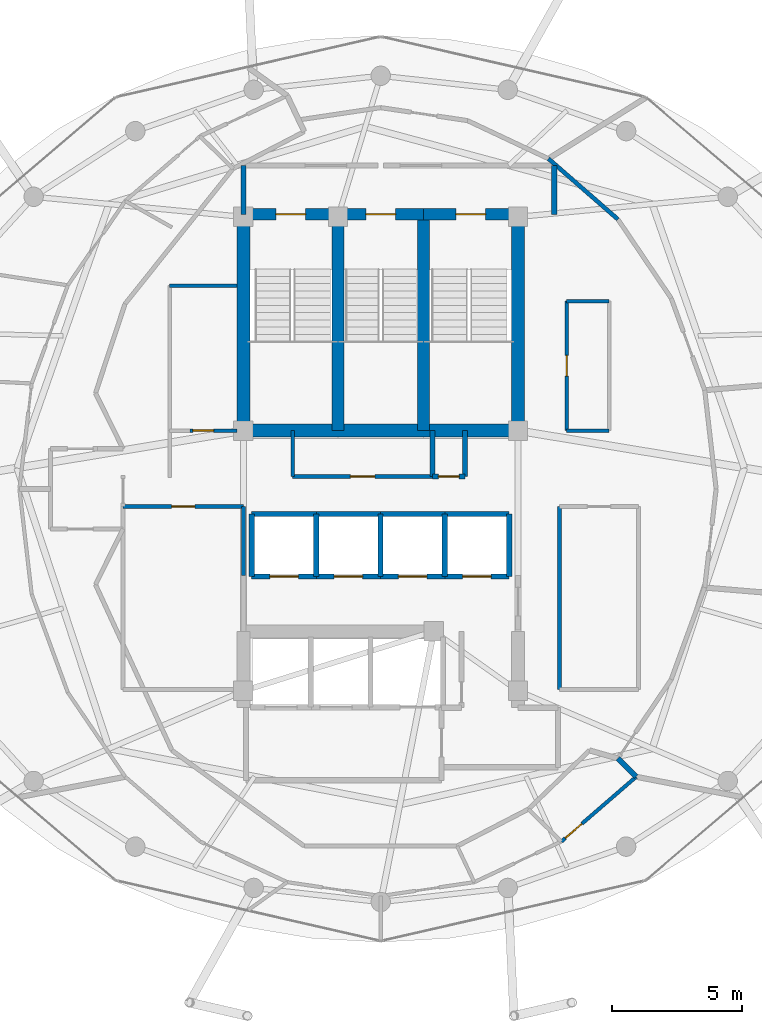
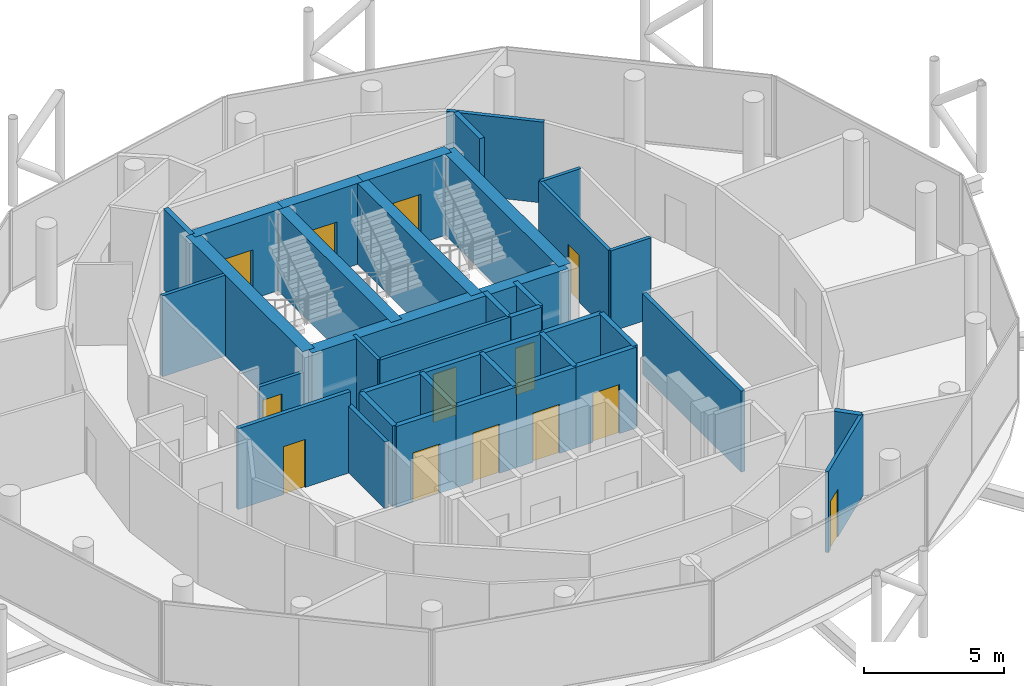
# One storey, part 21 of 24: 39 walls, 13 doors, 13 openings.
"""IFC4 building model written with IfcOpenShell, lengths in metres."""

from ifc_helpers import new_model, si_unit, direction, frame, frame_2d, origin, place, context, subcontext, project, spatial, rectangle, extrude, material, layer, layer_set, type_object, element, fill, save


model = new_model("IFC4")

# Units and contexts
model_context = context("Model", 3, precision=1e-05, world=origin(), true_north=direction((0.0, 1.0)))
body_context = subcontext(model_context, "Body", "Model", "MODEL_VIEW")
ifc_project = project(units=[si_unit("LENGTHUNIT", "METRE"), si_unit("AREAUNIT", "SQUARE_METRE"), si_unit("VOLUMEUNIT", "CUBIC_METRE"), si_unit("PLANEANGLEUNIT", "RADIAN"), si_unit("MASSUNIT", "GRAM", prefix="KILO")], contexts=[model_context])

# Site, building, storey
site_placement = place(None, origin())
site = spatial("IfcSite", under=ifc_project, at=site_placement, CompositionType="ELEMENT")
building_placement = place(site_placement, origin())
building = spatial("IfcBuilding", under=site, at=building_placement, Name="Nuhasar Tower", CompositionType="ELEMENT")
storey_placement = place(building_placement, frame((0.0, 0.0, 278.39990234375)))
storey = spatial("IfcBuildingStorey", under=building, at=storey_placement, Name="L69", CompositionType="ELEMENT", Elevation=278.39990234375)

# Wall, opening, door
ifc_material_1 = material(Name="Concrete C50/60", Category="concrete")
ifc_layer_1 = layer(ifc_material_1, 0.449951171875)
ifc_layer_set_1 = layer_set([ifc_layer_1], Name="Concrete C50/60")
wall_type_1 = type_object("IfcWallType", Name="WL-CORE-450", PredefinedType="SHEAR", material=ifc_layer_set_1)
wall_1_placement = place(storey_placement, frame((37.35009765625, 37.39990234375, 0.0), z_axis=(0.0, 0.0, 1.0), x_axis=(-1.0, 0.0, 0.0)))
wall_1 = element("IfcWall", 1, at=wall_1_placement, inside=storey, type_object=wall_type_1, Name="L69 Stairwell Shear Wall ST01-N", PredefinedType="SHEAR", context=body_context, shape_type="SweptSolid", body=[
    extrude(rectangle(XDim=3.650146484375, YDim=0.449951171875, at=frame_2d((1.8251953125, 0.0))), origin(), (0.0, 0.0, 1.0), 3.5400390625),
])
opening_1_placement = place(wall_1_placement, frame((1.25, 0.0, 0.0)))
opening_1 = element("IfcOpeningElement", 2, at=opening_1_placement, cuts=wall_1, Name="Opening DS-01", PredefinedType="OPENING", context=body_context, shape_type="SweptSolid", body=[
    extrude(rectangle(XDim=1.14990234375, YDim=2.14990234375, at=frame_2d((0.574951171875, 1.074951171875))), frame((0.0, 0.23486328125, 0.0), z_axis=(0.0, -1.0, 0.0), x_axis=(1.0, 0.0, 0.0)), (0.0, 0.0, 1.0), 0.469970703125),
])
ifc_material_2 = material(Name="Steel S355", Category="steel")
door_type_1 = type_object("IfcDoorType", Name="DR-STAIR-FD120-1150", OperationType="NOTDEFINED", PredefinedType="DOOR", material=ifc_material_2)
door_1_placement = place(opening_1_placement, origin())
door_1 = element("IfcDoor", 3, at=door_1_placement, inside=storey, type_object=door_type_1, Name="L69 Exit Stair ST-01 Door", OperationType="SINGLE_SWING_RIGHT", OverallHeight=2.14990234375, OverallWidth=1.14990234375, PredefinedType="DOOR", context=body_context, shape_type="SweptSolid", body=[
    extrude(rectangle(XDim=1.14990234375, YDim=2.14990234375, at=frame_2d((0.574951171875, 1.074951171875))), frame((0.0, 0.02490234375, 0.0), z_axis=(0.0, -1.0, 0.0), x_axis=(1.0, 0.0, 0.0)), (0.0, 0.0, 1.0), 0.050048828125),
])
fill(opening_1, door_1)

# Wall
wall_2_placement = place(storey_placement, frame((37.35009765625, 29.050048828125, 0.0), z_axis=(0.0, 0.0, 1.0), x_axis=(0.0, 1.0, 0.0)))
element("IfcWall", 4, at=wall_2_placement, inside=storey, type_object=wall_type_1, Name="L69 Stairwell Shear Wall ST01-E", PredefinedType="SHEAR", context=body_context, shape_type="SweptSolid", body=[
    extrude(rectangle(XDim=8.349853515625, YDim=0.449951171875, at=frame_2d((4.1748046875, 0.0))), origin(), (0.0, 0.0, 1.0), 3.5400390625),
])

# Wall, opening, door
wall_3_placement = place(storey_placement, frame((40.64990234375, 37.39990234375, 0.0), z_axis=(0.0, 0.0, 1.0), x_axis=(-1.0, 0.0, 0.0)))
wall_3 = element("IfcWall", 5, at=wall_3_placement, inside=storey, type_object=wall_type_1, Name="L69 Stairwell Shear Wall ST03-N", PredefinedType="SHEAR", context=body_context, shape_type="SweptSolid", body=[
    extrude(rectangle(XDim=3.2998046875, YDim=0.449951171875, at=frame_2d((1.64990234375, 0.0))), origin(), (0.0, 0.0, 1.0), 3.5400390625),
])
opening_2_placement = place(wall_3_placement, frame((1.074951171875, 0.0, 0.0)))
opening_2 = element("IfcOpeningElement", 6, at=opening_2_placement, cuts=wall_3, Name="Opening DS-01", PredefinedType="OPENING", context=body_context, shape_type="SweptSolid", body=[
    extrude(rectangle(XDim=1.14990234375, YDim=2.14990234375, at=frame_2d((0.574951171875, 1.074951171875))), frame((0.0, 0.23486328125, 0.0), z_axis=(0.0, -1.0, 0.0), x_axis=(1.0, 0.0, 0.0)), (0.0, 0.0, 1.0), 0.469970703125),
])
door_2_placement = place(opening_2_placement, origin())
door_2 = element("IfcDoor", 7, at=door_2_placement, inside=storey, type_object=door_type_1, Name="L69 Exit Stair ST-03 Door", OperationType="SINGLE_SWING_RIGHT", OverallHeight=2.14990234375, OverallWidth=1.14990234375, PredefinedType="DOOR", context=body_context, shape_type="SweptSolid", body=[
    extrude(rectangle(XDim=1.14990234375, YDim=2.14990234375, at=frame_2d((0.574951171875, 1.074951171875))), frame((0.0, 0.02490234375, 0.0), z_axis=(0.0, -1.0, 0.0), x_axis=(1.0, 0.0, 0.0)), (0.0, 0.0, 1.0), 0.050048828125),
])
fill(opening_2, door_2)

# Wall
wall_4_placement = place(storey_placement, frame((40.64990234375, 29.050048828125, 0.0), z_axis=(0.0, 0.0, 1.0), x_axis=(0.0, 1.0, 0.0)))
element("IfcWall", 8, at=wall_4_placement, inside=storey, type_object=wall_type_1, Name="L69 Stairwell Shear Wall ST03-E", PredefinedType="SHEAR", context=body_context, shape_type="SweptSolid", body=[
    extrude(rectangle(XDim=8.349853515625, YDim=0.449951171875, at=frame_2d((4.1748046875, 0.0))), origin(), (0.0, 0.0, 1.0), 3.5400390625),
])

# Wall, opening, door
wall_5_placement = place(storey_placement, frame((44.300048828125, 37.39990234375, 0.0), z_axis=(0.0, 0.0, 1.0), x_axis=(-1.0, 0.0, 0.0)))
wall_5 = element("IfcWall", 9, at=wall_5_placement, inside=storey, type_object=wall_type_1, Name="L69 Stairwell Shear Wall ST02-N", PredefinedType="SHEAR", context=body_context, shape_type="SweptSolid", body=[
    extrude(rectangle(XDim=3.650146484375, YDim=0.449951171875, at=frame_2d((1.8251953125, 0.0))), origin(), (0.0, 0.0, 1.0), 3.5400390625),
])
opening_3_placement = place(wall_5_placement, frame((1.25, 0.0, 0.0)))
opening_3 = element("IfcOpeningElement", 10, at=opening_3_placement, cuts=wall_5, Name="Opening DS-01", PredefinedType="OPENING", context=body_context, shape_type="SweptSolid", body=[
    extrude(rectangle(XDim=1.14990234375, YDim=2.14990234375, at=frame_2d((0.574951171875, 1.074951171875))), frame((0.0, 0.23486328125, 0.0), z_axis=(0.0, -1.0, 0.0), x_axis=(1.0, 0.0, 0.0)), (0.0, 0.0, 1.0), 0.469970703125),
])
door_3_placement = place(opening_3_placement, origin())
door_3 = element("IfcDoor", 11, at=door_3_placement, inside=storey, type_object=door_type_1, Name="L69 Exit Stair ST-02 Door", OperationType="SINGLE_SWING_LEFT", OverallHeight=2.14990234375, OverallWidth=1.14990234375, PredefinedType="DOOR", context=body_context, shape_type="SweptSolid", body=[
    extrude(rectangle(XDim=1.14990234375, YDim=2.14990234375, at=frame_2d((0.574951171875, 1.074951171875))), frame((0.0, 0.02490234375, 0.0), z_axis=(0.0, -1.0, 0.0), x_axis=(1.0, 0.0, 0.0)), (0.0, 0.0, 1.0), 0.050048828125),
])
fill(opening_3, door_3)

# Walls
ifc_layer_2 = layer(ifc_material_1, 0.5)
ifc_layer_set_2 = layer_set([ifc_layer_2], Name="Concrete C50/60")
wall_type_2 = type_object("IfcWallType", Name="WL-CORE-500", PredefinedType="SHEAR", material=ifc_layer_set_2)
for number, where, z_axis, x_axis, name in (
    (12, (33.699951171875, 29.050048828125, 0.0), (0.0, 0.0, 1.0), (0.0, 1.0, 0.0), "L69 Core Shear Wall CW-NW CW-500"),
    (13, (44.300048828125, 29.050048828125, 0.0), (0.0, 0.0, 1.0), (0.0, 1.0, 0.0), "L69 Core Shear Wall CW-NE CW-500"),
):
    element("IfcWall", number, at=place(storey_placement, frame(where, z_axis=z_axis, x_axis=x_axis)), inside=storey, type_object=wall_type_2, Name=name, PredefinedType="SHEAR", context=body_context, shape_type="SweptSolid", body=[
        extrude(rectangle(XDim=8.349853515625, YDim=0.5, at=frame_2d((4.1748046875, 0.0))), origin(), (0.0, 0.0, 1.0), 3.5400390625),
    ])
wall_6_placement = place(storey_placement, frame((33.699951171875, 29.050048828125, 0.0), z_axis=(0.0, 0.0, 1.0), x_axis=(1.0, 0.0, 0.0)))
element("IfcWall", 14, at=wall_6_placement, inside=storey, type_object=wall_type_2, Name="L69 Core Shear Wall CW-N1 CW-500", PredefinedType="SHEAR", context=body_context, shape_type="SweptSolid", body=[
    extrude(rectangle(XDim=10.60009765625, YDim=0.5, at=frame_2d((5.300048828125, 0.0))), origin(), (0.0, 0.0, 1.0), 3.5400390625),
])
ifc_material_3 = material(Name="Gypsum Board", Category="gypsum")
ifc_layer_3 = layer(ifc_material_3, 0.159912109375)
ifc_layer_set_3 = layer_set([ifc_layer_3], Name="Gypsum Board")
wall_type_3 = type_object("IfcWallType", Name="WL-CORR-160", PredefinedType="PARTITIONING", material=ifc_layer_set_3)
wall_7_placement = place(storey_placement, frame((33.699951171875, 23.449951171875, 0.0), z_axis=(0.0, 0.0, 1.0), x_axis=(0.0, 1.0, 0.0)))
element("IfcWall", 15, at=wall_7_placement, inside=storey, type_object=wall_type_3, Name="L69 Interior Partition RECL-B1-E", PredefinedType="PARTITIONING", context=body_context, shape_type="SweptSolid", body=[
    extrude(rectangle(XDim=2.670166015625, YDim=0.159912109375, at=frame_2d((1.3349609375, 0.0))), origin(), (0.0, 0.0, 1.0), 2.925048828125),
])

# Wall, opening, door
wall_8_placement = place(storey_placement, frame((33.699951171875, 26.1201171875, 0.0), z_axis=(0.0, 0.0, 1.0), x_axis=(-1.0, 0.0, 0.0)))
wall_8 = element("IfcWall", 16, at=wall_8_placement, inside=storey, type_object=wall_type_3, Name="L69 Interior Partition RECL-B1-N", PredefinedType="PARTITIONING", context=body_context, shape_type="SweptSolid", body=[
    extrude(rectangle(XDim=4.64990234375, YDim=0.159912109375, at=frame_2d((2.324951171875, 0.0))), origin(), (0.0, 0.0, 1.0), 3.5400390625),
])
opening_4_placement = place(wall_8_placement, frame((1.875, 0.0, 0.0)))
opening_4 = element("IfcOpeningElement", 17, at=opening_4_placement, cuts=wall_8, Name="Opening DR-01", PredefinedType="OPENING", context=body_context, shape_type="SweptSolid", body=[
    extrude(rectangle(XDim=0.89990234375, YDim=2.10009765625, at=frame_2d((0.449951171875, 1.050048828125))), frame((0.0, 0.08984375, 0.0), z_axis=(0.0, -1.0, 0.0), x_axis=(1.0, 0.0, 0.0)), (0.0, 0.0, 1.0), 0.179931640625),
])
ifc_material_4 = material(Name="Timber Oak", Category="wood")
door_type_2 = type_object("IfcDoorType", Name="DR-ROOM-900", OperationType="NOTDEFINED", PredefinedType="DOOR", material=ifc_material_4)
door_4_placement = place(opening_4_placement, origin())
door_4 = element("IfcDoor", 18, at=door_4_placement, inside=storey, type_object=door_type_2, Name="L69 Butler Store Door", OperationType="SINGLE_SWING_LEFT", OverallHeight=2.10009765625, OverallWidth=0.89990234375, PredefinedType="DOOR", context=body_context, shape_type="SweptSolid", body=[
    extrude(rectangle(XDim=0.89990234375, YDim=2.10009765625, at=frame_2d((0.449951171875, 1.050048828125))), frame((0.0, 0.02490234375, 0.0), z_axis=(0.0, -1.0, 0.0), x_axis=(1.0, 0.0, 0.0)), (0.0, 0.0, 1.0), 0.050048828125),
])
fill(opening_4, door_4)

# Walls
wall_9_placement = place(storey_placement, frame((45.89990234375, 19.050048828125, 0.0), z_axis=(0.0, 0.0, 1.0), x_axis=(0.0, 1.0, 0.0)))
element("IfcWall", 19, at=wall_9_placement, inside=storey, type_object=wall_type_3, Name="L69 Interior Partition RECL-B2-W", PredefinedType="PARTITIONING", context=body_context, shape_type="SweptSolid", body=[
    extrude(rectangle(XDim=7.070068359375, YDim=0.159912109375, at=frame_2d((3.53515625, 0.0))), origin(), (0.0, 0.0, 1.0), 3.5400390625),
])
wall_10_placement = place(storey_placement, frame((48.156982421875, 37.208984375, 0.0), z_axis=(0.0, 0.0, 1.0), x_axis=(-0.753625455067, 0.65730409513, 0.0)))
element("IfcWall", 20, at=wall_10_placement, inside=storey, type_object=wall_type_3, Name="L69 Interior Partition CORR-06", PredefinedType="PARTITIONING", context=body_context, shape_type="SweptSolid", body=[
    extrude(rectangle(XDim=3.55859375, YDim=0.159912109375, at=frame_2d((1.779296875, 0.0))), origin(), (0.0, 0.0, 1.0), 3.5400390625),
])
ifc_material_5 = material(Name="Concrete C45/55", Category="concrete")
ifc_layer_4 = layer(ifc_material_5, 0.199951171875)
ifc_layer_set_4 = layer_set([ifc_layer_4], Name="Concrete C45/55")
wall_type_4 = type_object("IfcWallType", Name="WL-LOBBY-200", PredefinedType="SOLIDWALL", material=ifc_layer_set_4)
for number, where, z_axis, x_axis, name in (
    (21, (33.699951171875, 37.39990234375, 0.0), (0.0, 0.0, 1.0), (0.0, 1.0, 0.0), "L69 Interior Partition NSL-W"),
    (22, (45.699951171875, 37.39990234375, 0.0), (0.0, 0.0, 1.0), (0.0, 1.0, 0.0), "L69 Interior Partition NSL-E"),
):
    element("IfcWall", number, at=place(storey_placement, frame(where, z_axis=z_axis, x_axis=x_axis)), inside=storey, type_object=wall_type_4, Name=name, PredefinedType="SOLIDWALL", context=body_context, shape_type="SweptSolid", body=[
        extrude(rectangle(XDim=1.880126953125, YDim=0.199951171875, at=frame_2d((0.93994140625, 0.0))), origin(), (0.0, 0.0, 1.0), 3.5400390625),
    ])
ifc_layer_5 = layer(ifc_material_5, 0.199951171875)
ifc_layer_set_5 = layer_set([ifc_layer_5], Name="Concrete C45/55")
wall_type_5 = type_object("IfcWallType", Name="WL-SHAFT-200", PredefinedType="SOLIDWALL", material=ifc_layer_set_5)
for number, where, z_axis, x_axis, name in (
    (23, (41.0, 27.280029296875, 0.0), (0.0, 0.0, 1.0), (0.0, 1.0, 0.0), "L69 Interior Partition RSRN-W"),
    (24, (42.260009765625, 27.280029296875, 0.0), (0.0, 0.0, 1.0), (0.0, 1.0, 0.0), "L69 Interior Partition RSRN-E"),
):
    element("IfcWall", number, at=place(storey_placement, frame(where, z_axis=z_axis, x_axis=x_axis)), inside=storey, type_object=wall_type_5, Name=name, PredefinedType="SOLIDWALL", context=body_context, shape_type="SweptSolid", body=[
        extrude(rectangle(XDim=1.77001953125, YDim=0.199951171875, at=frame_2d((0.885009765625, 0.0))), origin(), (0.0, 0.0, 1.0), 3.5400390625),
    ])

# Wall, opening, door
wall_11_placement = place(storey_placement, frame((41.0, 27.280029296875, 0.0), z_axis=(0.0, 0.0, 1.0), x_axis=(1.0, 0.0, 0.0)))
wall_11 = element("IfcWall", 25, at=wall_11_placement, inside=storey, type_object=wall_type_5, Name="L69 Interior Partition RSRN-S", PredefinedType="SOLIDWALL", context=body_context, shape_type="SweptSolid", body=[
    extrude(rectangle(XDim=1.260009765625, YDim=0.199951171875, at=frame_2d((0.6298828125, 0.0))), origin(), (0.0, 0.0, 1.0), 3.5400390625),
])
opening_5_placement = place(wall_11_placement, frame((0.22998046875, 0.0, 0.0)))
opening_5 = element("IfcOpeningElement", 26, at=opening_5_placement, cuts=wall_11, Name="Opening DM-01", PredefinedType="OPENING", context=body_context, shape_type="SweptSolid", body=[
    extrude(rectangle(XDim=0.800048828125, YDim=2.050048828125, at=frame_2d((0.39990234375, 1.02490234375))), frame((0.0, 0.10986328125, 0.0), z_axis=(0.0, -1.0, 0.0), x_axis=(1.0, 0.0, 0.0)), (0.0, 0.0, 1.0), 0.219970703125),
])
door_type_3 = type_object("IfcDoorType", Name="DR-RISER-FD60-800", OperationType="NOTDEFINED", PredefinedType="DOOR", material=ifc_material_2)
door_5_placement = place(opening_5_placement, origin())
door_5 = element("IfcDoor", 27, at=door_5_placement, inside=storey, type_object=door_type_3, Name="L69 North Smoke Riser Door", OperationType="SINGLE_SWING_RIGHT", OverallHeight=2.050048828125, OverallWidth=0.800048828125, PredefinedType="DOOR", context=body_context, shape_type="SweptSolid", body=[
    extrude(rectangle(XDim=0.800048828125, YDim=2.050048828125, at=frame_2d((0.39990234375, 1.02490234375))), frame((0.0, 0.02490234375, 0.0), z_axis=(0.0, -1.0, 0.0), x_axis=(1.0, 0.0, 0.0)), (0.0, 0.0, 1.0), 0.050048828125),
])
fill(opening_5, door_5)

wall_12_placement = place(storey_placement, frame((34.02001953125, 23.419921875, 0.0), z_axis=(0.0, 0.0, 1.0), x_axis=(1.0, 0.0, 0.0)))
wall_12 = element("IfcWall", 28, at=wall_12_placement, inside=storey, type_object=wall_type_5, Name="L69 Interior Partition SHF-PL-H01-S", PredefinedType="SOLIDWALL", context=body_context, shape_type="SweptSolid", body=[
    extrude(rectangle(XDim=2.5, YDim=0.199951171875, at=frame_2d((1.25, 0.0))), origin(), (0.0, 0.0, 1.0), 3.5400390625),
])
opening_6_placement = place(wall_12_placement, frame((0.699951171875, 0.0, 0.0)))
opening_6 = element("IfcOpeningElement", 29, at=opening_6_placement, cuts=wall_12, Name="Opening LD-H01", PredefinedType="OPENING", context=body_context, shape_type="SweptSolid", body=[
    extrude(rectangle(XDim=1.10009765625, YDim=2.14990234375, at=frame_2d((0.550048828125, 1.074951171875))), frame((0.0, 0.10986328125, 0.0), z_axis=(0.0, -1.0, 0.0), x_axis=(1.0, 0.0, 0.0)), (0.0, 0.0, 1.0), 0.219970703125),
])
ifc_material_6 = material(Name="Stainless Steel 316L", Category="steel")
door_type_4 = type_object("IfcDoorType", Name="LD-PAX-1100", OperationType="DOUBLE_DOOR_SLIDING", PredefinedType="DOOR", material=ifc_material_6)
door_6_placement = place(opening_6_placement, origin())
door_6 = element("IfcDoor", 30, at=door_6_placement, inside=storey, type_object=door_type_4, Name="L69 Lift Landing Door PL-H01", OperationType="DOUBLE_DOOR_SLIDING", OverallHeight=2.14990234375, OverallWidth=1.10009765625, PredefinedType="DOOR", context=body_context, shape_type="SweptSolid", body=[
    extrude(rectangle(XDim=1.10009765625, YDim=2.14990234375, at=frame_2d((0.550048828125, 1.074951171875))), frame((0.0, 0.02490234375, 0.0), z_axis=(0.0, -1.0, 0.0), x_axis=(1.0, 0.0, 0.0)), (0.0, 0.0, 1.0), 0.050048828125),
])
fill(opening_6, door_6)

# Walls
wall_13_placement = place(storey_placement, frame((34.02001953125, 25.830078125, 0.0), z_axis=(0.0, 0.0, 1.0), x_axis=(1.0, 0.0, 0.0)))
element("IfcWall", 31, at=wall_13_placement, inside=storey, type_object=wall_type_5, Name="L69 Interior Partition SHF-PL-H01-N", PredefinedType="SOLIDWALL", context=body_context, shape_type="SweptSolid", body=[
    extrude(rectangle(XDim=2.5, YDim=0.199951171875, at=frame_2d((1.25, 0.0))), origin(), (0.0, 0.0, 1.0), 3.5400390625),
])
for number, where, z_axis, x_axis, name in (
    (32, (34.02001953125, 23.419921875, 0.0), (0.0, 0.0, 1.0), (0.0, 1.0, 0.0), "L69 Interior Partition SHF-PL-H01-W"),
    (33, (36.510009765625, 23.419921875, 0.0), (0.0, 0.0, 1.0), (0.0, 1.0, 0.0), "L69 Interior Partition SHF-PL-H01-E"),
):
    element("IfcWall", number, at=place(storey_placement, frame(where, z_axis=z_axis, x_axis=x_axis)), inside=storey, type_object=wall_type_5, Name=name, PredefinedType="SOLIDWALL", context=body_context, shape_type="SweptSolid", body=[
        extrude(rectangle(XDim=2.41015625, YDim=0.199951171875, at=frame_2d((1.205078125, 0.0))), origin(), (0.0, 0.0, 1.0), 3.5400390625),
    ])

# Wall, opening, door
wall_14_placement = place(storey_placement, frame((36.5, 23.419921875, 0.0), z_axis=(0.0, 0.0, 1.0), x_axis=(1.0, 0.0, 0.0)))
wall_14 = element("IfcWall", 34, at=wall_14_placement, inside=storey, type_object=wall_type_5, Name="L69 Interior Partition SHF-PL-H02-S", PredefinedType="SOLIDWALL", context=body_context, shape_type="SweptSolid", body=[
    extrude(rectangle(XDim=2.5, YDim=0.199951171875, at=frame_2d((1.25, 0.0))), origin(), (0.0, 0.0, 1.0), 3.5400390625),
])
opening_7_placement = place(wall_14_placement, frame((0.699951171875, 0.0, 0.0)))
opening_7 = element("IfcOpeningElement", 35, at=opening_7_placement, cuts=wall_14, Name="Opening LD-H02", PredefinedType="OPENING", context=body_context, shape_type="SweptSolid", body=[
    extrude(rectangle(XDim=1.10009765625, YDim=2.14990234375, at=frame_2d((0.550048828125, 1.074951171875))), frame((0.0, 0.10986328125, 0.0), z_axis=(0.0, -1.0, 0.0), x_axis=(1.0, 0.0, 0.0)), (0.0, 0.0, 1.0), 0.219970703125),
])
door_7_placement = place(opening_7_placement, origin())
door_7 = element("IfcDoor", 36, at=door_7_placement, inside=storey, type_object=door_type_4, Name="L69 Lift Landing Door PL-H02", OperationType="DOUBLE_DOOR_SLIDING", OverallHeight=2.14990234375, OverallWidth=1.10009765625, PredefinedType="DOOR", context=body_context, shape_type="SweptSolid", body=[
    extrude(rectangle(XDim=1.10009765625, YDim=2.14990234375, at=frame_2d((0.550048828125, 1.074951171875))), frame((0.0, 0.02490234375, 0.0), z_axis=(0.0, -1.0, 0.0), x_axis=(1.0, 0.0, 0.0)), (0.0, 0.0, 1.0), 0.050048828125),
])
fill(opening_7, door_7)

# Walls
wall_15_placement = place(storey_placement, frame((36.5, 25.830078125, 0.0), z_axis=(0.0, 0.0, 1.0), x_axis=(1.0, 0.0, 0.0)))
element("IfcWall", 37, at=wall_15_placement, inside=storey, type_object=wall_type_5, Name="L69 Interior Partition SHF-PL-H02-N", PredefinedType="SOLIDWALL", context=body_context, shape_type="SweptSolid", body=[
    extrude(rectangle(XDim=2.5, YDim=0.199951171875, at=frame_2d((1.25, 0.0))), origin(), (0.0, 0.0, 1.0), 3.5400390625),
])
wall_16_placement = place(storey_placement, frame((38.989990234375, 23.419921875, 0.0), z_axis=(0.0, 0.0, 1.0), x_axis=(0.0, 1.0, 0.0)))
element("IfcWall", 38, at=wall_16_placement, inside=storey, type_object=wall_type_5, Name="L69 Interior Partition SHF-PL-H02-E", PredefinedType="SOLIDWALL", context=body_context, shape_type="SweptSolid", body=[
    extrude(rectangle(XDim=2.41015625, YDim=0.199951171875, at=frame_2d((1.205078125, 0.0))), origin(), (0.0, 0.0, 1.0), 3.5400390625),
])

# Wall, opening, door
wall_17_placement = place(storey_placement, frame((38.97998046875, 23.419921875, 0.0), z_axis=(0.0, 0.0, 1.0), x_axis=(1.0, 0.0, 0.0)))
wall_17 = element("IfcWall", 39, at=wall_17_placement, inside=storey, type_object=wall_type_5, Name="L69 Interior Partition SHF-PL-H03-S", PredefinedType="SOLIDWALL", context=body_context, shape_type="SweptSolid", body=[
    extrude(rectangle(XDim=2.5, YDim=0.199951171875, at=frame_2d((1.25, 0.0))), origin(), (0.0, 0.0, 1.0), 3.5400390625),
])
opening_8_placement = place(wall_17_placement, frame((0.699951171875, 0.0, 0.0)))
opening_8 = element("IfcOpeningElement", 40, at=opening_8_placement, cuts=wall_17, Name="Opening LD-H03", PredefinedType="OPENING", context=body_context, shape_type="SweptSolid", body=[
    extrude(rectangle(XDim=1.10009765625, YDim=2.14990234375, at=frame_2d((0.550048828125, 1.074951171875))), frame((0.0, 0.10986328125, 0.0), z_axis=(0.0, -1.0, 0.0), x_axis=(1.0, 0.0, 0.0)), (0.0, 0.0, 1.0), 0.219970703125),
])
door_8_placement = place(opening_8_placement, origin())
door_8 = element("IfcDoor", 41, at=door_8_placement, inside=storey, type_object=door_type_4, Name="L69 Lift Landing Door PL-H03", OperationType="DOUBLE_DOOR_SLIDING", OverallHeight=2.14990234375, OverallWidth=1.10009765625, PredefinedType="DOOR", context=body_context, shape_type="SweptSolid", body=[
    extrude(rectangle(XDim=1.10009765625, YDim=2.14990234375, at=frame_2d((0.550048828125, 1.074951171875))), frame((0.0, 0.02490234375, 0.0), z_axis=(0.0, -1.0, 0.0), x_axis=(1.0, 0.0, 0.0)), (0.0, 0.0, 1.0), 0.050048828125),
])
fill(opening_8, door_8)

# Walls
wall_18_placement = place(storey_placement, frame((38.97998046875, 25.830078125, 0.0), z_axis=(0.0, 0.0, 1.0), x_axis=(1.0, 0.0, 0.0)))
element("IfcWall", 42, at=wall_18_placement, inside=storey, type_object=wall_type_5, Name="L69 Interior Partition SHF-PL-H03-N", PredefinedType="SOLIDWALL", context=body_context, shape_type="SweptSolid", body=[
    extrude(rectangle(XDim=2.5, YDim=0.199951171875, at=frame_2d((1.25, 0.0))), origin(), (0.0, 0.0, 1.0), 3.5400390625),
])
wall_19_placement = place(storey_placement, frame((41.469970703125, 23.419921875, 0.0), z_axis=(0.0, 0.0, 1.0), x_axis=(0.0, 1.0, 0.0)))
element("IfcWall", 43, at=wall_19_placement, inside=storey, type_object=wall_type_5, Name="L69 Interior Partition SHF-PL-H03-E", PredefinedType="SOLIDWALL", context=body_context, shape_type="SweptSolid", body=[
    extrude(rectangle(XDim=2.41015625, YDim=0.199951171875, at=frame_2d((1.205078125, 0.0))), origin(), (0.0, 0.0, 1.0), 3.5400390625),
])

# Wall, opening, door
wall_20_placement = place(storey_placement, frame((41.4599609375, 23.419921875, 0.0), z_axis=(0.0, 0.0, 1.0), x_axis=(1.0, 0.0, 0.0)))
wall_20 = element("IfcWall", 44, at=wall_20_placement, inside=storey, type_object=wall_type_5, Name="L69 Interior Partition SHF-PL-H04-S", PredefinedType="SOLIDWALL", context=body_context, shape_type="SweptSolid", body=[
    extrude(rectangle(XDim=2.5, YDim=0.199951171875, at=frame_2d((1.25, 0.0))), origin(), (0.0, 0.0, 1.0), 3.5400390625),
])
opening_9_placement = place(wall_20_placement, frame((0.699951171875, 0.0, 0.0)))
opening_9 = element("IfcOpeningElement", 45, at=opening_9_placement, cuts=wall_20, Name="Opening LD-H04", PredefinedType="OPENING", context=body_context, shape_type="SweptSolid", body=[
    extrude(rectangle(XDim=1.10009765625, YDim=2.14990234375, at=frame_2d((0.550048828125, 1.074951171875))), frame((0.0, 0.10986328125, 0.0), z_axis=(0.0, -1.0, 0.0), x_axis=(1.0, 0.0, 0.0)), (0.0, 0.0, 1.0), 0.219970703125),
])
door_9_placement = place(opening_9_placement, origin())
door_9 = element("IfcDoor", 46, at=door_9_placement, inside=storey, type_object=door_type_4, Name="L69 Lift Landing Door PL-H04", OperationType="DOUBLE_DOOR_SLIDING", OverallHeight=2.14990234375, OverallWidth=1.10009765625, PredefinedType="DOOR", context=body_context, shape_type="SweptSolid", body=[
    extrude(rectangle(XDim=1.10009765625, YDim=2.14990234375, at=frame_2d((0.550048828125, 1.074951171875))), frame((0.0, 0.02490234375, 0.0), z_axis=(0.0, -1.0, 0.0), x_axis=(1.0, 0.0, 0.0)), (0.0, 0.0, 1.0), 0.050048828125),
])
fill(opening_9, door_9)

# Walls
wall_21_placement = place(storey_placement, frame((41.4599609375, 25.830078125, 0.0), z_axis=(0.0, 0.0, 1.0), x_axis=(1.0, 0.0, 0.0)))
element("IfcWall", 47, at=wall_21_placement, inside=storey, type_object=wall_type_5, Name="L69 Interior Partition SHF-PL-H04-N", PredefinedType="SOLIDWALL", context=body_context, shape_type="SweptSolid", body=[
    extrude(rectangle(XDim=2.5, YDim=0.199951171875, at=frame_2d((1.25, 0.0))), origin(), (0.0, 0.0, 1.0), 3.5400390625),
])
wall_22_placement = place(storey_placement, frame((43.9599609375, 23.419921875, 0.0), z_axis=(0.0, 0.0, 1.0), x_axis=(0.0, 1.0, 0.0)))
element("IfcWall", 48, at=wall_22_placement, inside=storey, type_object=wall_type_5, Name="L69 Interior Partition SHF-PL-H04-E", PredefinedType="SOLIDWALL", context=body_context, shape_type="SweptSolid", body=[
    extrude(rectangle(XDim=2.41015625, YDim=0.199951171875, at=frame_2d((1.205078125, 0.0))), origin(), (0.0, 0.0, 1.0), 3.5400390625),
])
ifc_material_7 = material(Name="Concrete C40/50 precast", Category="concrete")
ifc_layer_6 = layer(ifc_material_7, 0.199951171875)
ifc_layer_set_6 = layer_set([ifc_layer_6], Name="Concrete C40/50 precast")
wall_type_6 = type_object("IfcWallType", Name="WL-UNIT-200", PredefinedType="PARTITIONING", material=ifc_layer_set_6)
wall_23_placement = place(storey_placement, frame((48.156982421875, 16.39111328125, 0.0), z_axis=(0.0, 0.0, 1.0), x_axis=(0.707106781187, -0.707106781187, 0.0)))
element("IfcWall", 49, at=wall_23_placement, inside=storey, type_object=wall_type_6, Name="L69 Interior Partition URAD-42-SW-S2", PredefinedType="PARTITIONING", context=body_context, shape_type="SweptSolid", body=[
    extrude(rectangle(XDim=1.0, YDim=0.199951171875, at=frame_2d((0.5, 0.0))), origin(), (0.0, 0.0, 1.0), 3.5400390625),
])
ifc_layer_7 = layer(ifc_material_7, 0.139892578125)
ifc_layer_set_7 = layer_set([ifc_layer_7], Name="Concrete C40/50 precast")
wall_type_7 = type_object("IfcWallType", Name="WL-WET-140", PredefinedType="PARTITIONING", material=ifc_layer_set_7)
wall_24_placement = place(storey_placement, frame((35.60009765625, 27.280029296875, 0.0), z_axis=(0.0, 0.0, 1.0), x_axis=(0.0, 1.0, 0.0)))
element("IfcWall", 50, at=wall_24_placement, inside=storey, type_object=wall_type_7, Name="L69 Interior Partition CSVC-W", PredefinedType="PARTITIONING", context=body_context, shape_type="SweptSolid", body=[
    extrude(rectangle(XDim=1.77001953125, YDim=0.139892578125, at=frame_2d((0.885009765625, 0.0))), origin(), (0.0, 0.0, 1.0), 3.5400390625),
])

# Wall, opening, door
wall_25_placement = place(storey_placement, frame((35.60009765625, 27.280029296875, 0.0), z_axis=(0.0, 0.0, 1.0), x_axis=(1.0, 0.0, 0.0)))
wall_25 = element("IfcWall", 51, at=wall_25_placement, inside=storey, type_object=wall_type_7, Name="L69 Interior Partition CSVC-S", PredefinedType="PARTITIONING", context=body_context, shape_type="SweptSolid", body=[
    extrude(rectangle(XDim=5.39990234375, YDim=0.139892578125, at=frame_2d((2.699951171875, 0.0))), origin(), (0.0, 0.0, 1.0), 3.5400390625),
])
opening_10_placement = place(wall_25_placement, frame((2.22509765625, 0.0, 0.0)))
opening_10 = element("IfcOpeningElement", 52, at=opening_10_placement, cuts=wall_25, Name="Opening DA-01", PredefinedType="OPENING", context=body_context, shape_type="SweptSolid", body=[
    extrude(rectangle(XDim=0.949951171875, YDim=2.10009765625, at=frame_2d((0.47509765625, 1.050048828125))), frame((0.0, 0.080078125, 0.0), z_axis=(0.0, -1.0, 0.0), x_axis=(1.0, 0.0, 0.0)), (0.0, 0.0, 1.0), 0.159912109375),
])
door_type_5 = type_object("IfcDoorType", Name="DR-ACCWC-950", OperationType="NOTDEFINED", PredefinedType="DOOR", material=ifc_material_4)
door_10_placement = place(opening_10_placement, origin())
door_10 = element("IfcDoor", 53, at=door_10_placement, inside=storey, type_object=door_type_5, Name="L69 Core Accessible Restroom Door", OperationType="SINGLE_SWING_LEFT", OverallHeight=2.10009765625, OverallWidth=0.949951171875, PredefinedType="DOOR", context=body_context, shape_type="SweptSolid", body=[
    extrude(rectangle(XDim=0.949951171875, YDim=2.10009765625, at=frame_2d((0.47509765625, 1.050048828125))), frame((0.0, 0.02490234375, 0.0), z_axis=(0.0, -1.0, 0.0), x_axis=(1.0, 0.0, 0.0)), (0.0, 0.0, 1.0), 0.050048828125),
])
fill(opening_10, door_10)

wall_26_placement = place(storey_placement, frame((31.6298828125, 29.050048828125, 0.0), z_axis=(0.0, 0.0, 1.0), x_axis=(1.0, 0.0, 0.0)))
wall_26 = element("IfcWall", 54, at=wall_26_placement, inside=storey, type_object=wall_type_7, Name="L69 Interior Partition K3-NW-S", PredefinedType="PARTITIONING", context=body_context, shape_type="SweptSolid", body=[
    extrude(rectangle(XDim=1.820068359375, YDim=0.139892578125, at=frame_2d((0.91015625, 0.0))), origin(), (0.0, 0.0, 1.0), 2.68017578125),
])
opening_11_placement = place(wall_26_placement, frame((0.1201171875, 0.0, 0.0)))
opening_11 = element("IfcOpeningElement", 55, at=opening_11_placement, cuts=wall_26, Name="Opening DM-01", PredefinedType="OPENING", context=body_context, shape_type="SweptSolid", body=[
    extrude(rectangle(XDim=0.800048828125, YDim=2.050048828125, at=frame_2d((0.39990234375, 1.02490234375))), frame((0.0, 0.080078125, 0.0), z_axis=(0.0, -1.0, 0.0), x_axis=(1.0, 0.0, 0.0)), (0.0, 0.0, 1.0), 0.159912109375),
])
door_11_placement = place(opening_11_placement, origin())
door_11 = element("IfcDoor", 56, at=door_11_placement, inside=storey, type_object=door_type_3, Name="L69 NW Electrical Room Door", OperationType="SINGLE_SWING_LEFT", OverallHeight=2.050048828125, OverallWidth=0.800048828125, PredefinedType="DOOR", context=body_context, shape_type="SweptSolid", body=[
    extrude(rectangle(XDim=0.800048828125, YDim=2.050048828125, at=frame_2d((0.39990234375, 1.02490234375))), frame((0.0, 0.02490234375, 0.0), z_axis=(0.0, -1.0, 0.0), x_axis=(1.0, 0.0, 0.0)), (0.0, 0.0, 1.0), 0.050048828125),
])
fill(opening_11, door_11)

# Wall
wall_27_placement = place(storey_placement, frame((30.85009765625, 34.64990234375, 0.0), z_axis=(0.0, 0.0, 1.0), x_axis=(1.0, 0.0, 0.0)))
element("IfcWall", 57, at=wall_27_placement, inside=storey, type_object=wall_type_7, Name="L69 Interior Partition K3-NW-N", PredefinedType="PARTITIONING", context=body_context, shape_type="SweptSolid", body=[
    extrude(rectangle(XDim=2.599853515625, YDim=0.139892578125, at=frame_2d((1.2998046875, 0.0))), origin(), (0.0, 0.0, 1.0), 3.5400390625),
])

# Wall, opening, door
wall_28_placement = place(storey_placement, frame((46.179931640625, 34.050048828125, 0.0), z_axis=(0.0, 0.0, 1.0), x_axis=(0.0, -1.0, 0.0)))
wall_28 = element("IfcWall", 58, at=wall_28_placement, inside=storey, type_object=wall_type_7, Name="L69 Interior Partition K3-NE-W", PredefinedType="PARTITIONING", context=body_context, shape_type="SweptSolid", body=[
    extrude(rectangle(XDim=5.0, YDim=0.139892578125, at=frame_2d((2.5, 0.0))), origin(), (0.0, 0.0, 1.0), 3.5400390625),
])
opening_12_placement = place(wall_28_placement, frame((2.10009765625, 0.0, 0.0)))
opening_12 = element("IfcOpeningElement", 59, at=opening_12_placement, cuts=wall_28, Name="Opening DM-01", PredefinedType="OPENING", context=body_context, shape_type="SweptSolid", body=[
    extrude(rectangle(XDim=0.800048828125, YDim=2.050048828125, at=frame_2d((0.39990234375, 1.02490234375))), frame((0.0, 0.080078125, 0.0), z_axis=(0.0, -1.0, 0.0), x_axis=(1.0, 0.0, 0.0)), (0.0, 0.0, 1.0), 0.159912109375),
])
door_12_placement = place(opening_12_placement, origin())
door_12 = element("IfcDoor", 60, at=door_12_placement, inside=storey, type_object=door_type_3, Name="L69 NE Switchgear Room Door", OperationType="SINGLE_SWING_RIGHT", OverallHeight=2.050048828125, OverallWidth=0.800048828125, PredefinedType="DOOR", context=body_context, shape_type="SweptSolid", body=[
    extrude(rectangle(XDim=0.800048828125, YDim=2.050048828125, at=frame_2d((0.39990234375, 1.02490234375))), frame((0.0, 0.02490234375, 0.0), z_axis=(0.0, -1.0, 0.0), x_axis=(1.0, 0.0, 0.0)), (0.0, 0.0, 1.0), 0.050048828125),
])
fill(opening_12, door_12)

# Walls
for number, where, z_axis, x_axis, name in (
    (61, (46.179931640625, 29.050048828125, 0.0), (0.0, 0.0, 1.0), (1.0, 0.0, 0.0), "L69 Interior Partition K3-NE-S"),
    (62, (46.179931640625, 34.050048828125, 0.0), (0.0, 0.0, 1.0), (1.0, 0.0, 0.0), "L69 Interior Partition K3-NE-N"),
):
    element("IfcWall", number, at=place(storey_placement, frame(where, z_axis=z_axis, x_axis=x_axis)), inside=storey, type_object=wall_type_7, Name=name, PredefinedType="PARTITIONING", context=body_context, shape_type="SweptSolid", body=[
        extrude(rectangle(XDim=1.64013671875, YDim=0.139892578125, at=frame_2d((0.820068359375, 0.0))), origin(), (0.0, 0.0, 1.0), 3.5400390625),
    ])

# Wall, opening, door
wall_29_placement = place(storey_placement, frame((48.864013671875, 15.68408203125, 0.0), z_axis=(0.0, 0.0, 1.0), x_axis=(-0.756424716633, -0.654080765706, 0.0)))
wall_29 = element("IfcWall", 63, at=wall_29_placement, inside=storey, type_object=wall_type_7, Name="L69 Interior Partition USM-2-B-40", PredefinedType="PARTITIONING", context=body_context, shape_type="SweptSolid", body=[
    extrude(rectangle(XDim=3.819091796875, YDim=0.139892578125, at=frame_2d((1.90966796875, 0.0))), origin(), (0.0, 0.0, 1.0), 3.5400390625),
])
opening_13_placement = place(wall_29_placement, frame((2.76904296875, 0.0, 0.0)))
opening_13 = element("IfcOpeningElement", 64, at=opening_13_placement, cuts=wall_29, Name="Opening DB-01", PredefinedType="OPENING", context=body_context, shape_type="SweptSolid", body=[
    extrude(rectangle(XDim=0.85009765625, YDim=2.10009765625, at=frame_2d((0.425048828125, 1.050048828125))), frame((0.0, 0.080078125, 0.0), z_axis=(0.0, -1.0, 0.0), x_axis=(1.0, 0.0, 0.0)), (0.0, 0.0, 1.0), 0.159912109375),
])
door_type_6 = type_object("IfcDoorType", Name="DR-BATH-850", OperationType="NOTDEFINED", PredefinedType="DOOR", material=ifc_material_4)
door_13_placement = place(opening_13_placement, origin())
door_13 = element("IfcDoor", 65, at=door_13_placement, inside=storey, type_object=door_type_6, Name="L69 South-West Sky Home En-Suite Door", OperationType="SINGLE_SWING_RIGHT", OverallHeight=2.10009765625, OverallWidth=0.85009765625, PredefinedType="DOOR", context=body_context, shape_type="SweptSolid", body=[
    extrude(rectangle(XDim=0.85009765625, YDim=2.10009765625, at=frame_2d((0.425048828125, 1.050048828125))), frame((0.0, 0.02490234375, 0.0), z_axis=(0.0, -1.0, 0.0), x_axis=(1.0, 0.0, 0.0)), (0.0, 0.0, 1.0), 0.050048828125),
])
fill(opening_13, door_13)

save(model, "model.ifc")
